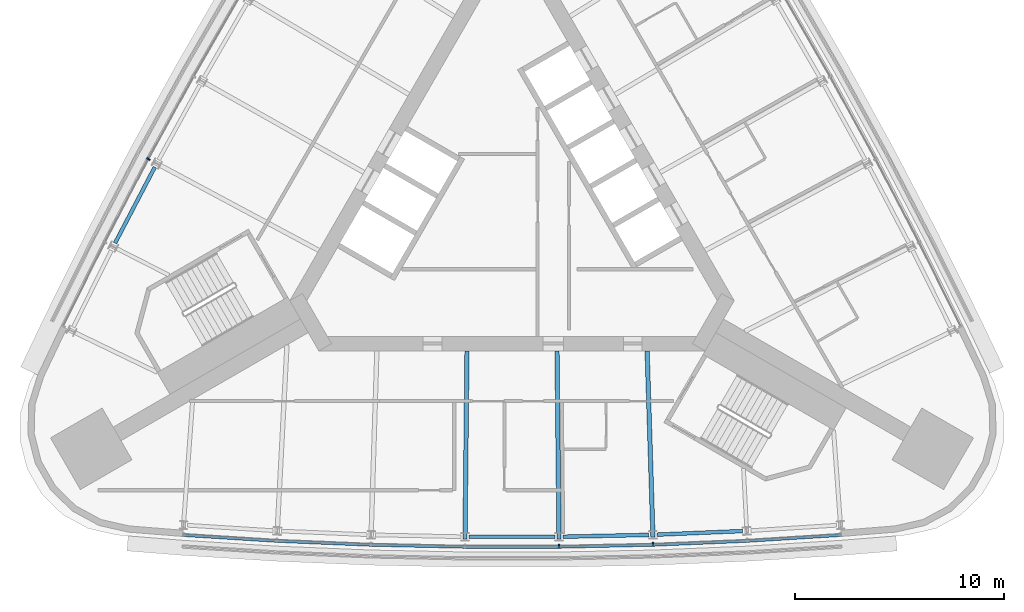
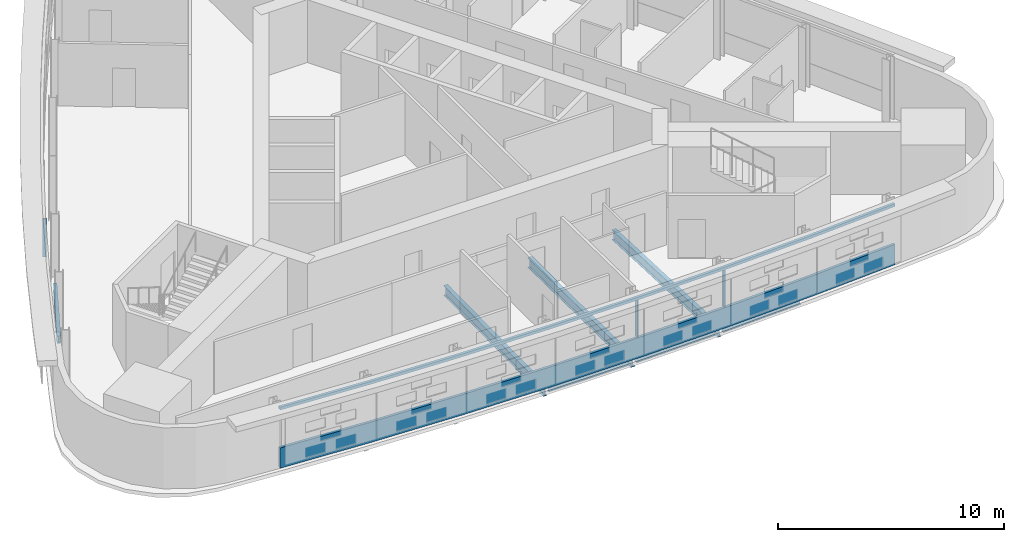
# One storey, part 3 of 12: 7 beams, 5 members, 2 elements without a shape of their own.
"""IFC4 building model written with IfcOpenShell, lengths in metres."""

from ifc_helpers import new_model, si_unit, direction, frame, origin, origin_2d, place, context, subcontext, project, spatial, polyline, rectangle, i_section, outline, extrude, material, material_profile, profile_set, type_object, element, aggregate, save


model = new_model("IFC4")

# Units and contexts
model_context = context("Model", 3, precision=1e-05, world=origin(), true_north=direction((0.0, 1.0)))
body_context = subcontext(model_context, "Body", "Model", "MODEL_VIEW")
ifc_project = project(units=[si_unit("LENGTHUNIT", "METRE"), si_unit("AREAUNIT", "SQUARE_METRE"), si_unit("VOLUMEUNIT", "CUBIC_METRE"), si_unit("PLANEANGLEUNIT", "RADIAN"), si_unit("MASSUNIT", "GRAM", prefix="KILO")], contexts=[model_context])

# Site, building, storey
site_placement = place(None, origin())
site = spatial("IfcSite", under=ifc_project, at=site_placement, CompositionType="ELEMENT")
building_placement = place(site_placement, origin())
building = spatial("IfcBuilding", under=site, at=building_placement, Name="Noor Cloister Tower", CompositionType="ELEMENT")
storey_placement = place(building_placement, frame((0.0, 0.0, 158.10009765625)))
storey = spatial("IfcBuildingStorey", under=building, at=storey_placement, Name="L40", CompositionType="ELEMENT", Elevation=158.10009765625)

# Curtain wall, member
ifc_material_1 = material(Name="Aluminium 6063-T6 anodised", Category="aluminium")
curtain_wall_type = type_object("IfcCurtainWallType", Name="Ribbon curtain wall, upper tower CW5", PredefinedType="NOTDEFINED", material=ifc_material_1)
curtain_wall_1_placement = place(storey_placement, origin())
curtain_wall_1 = element("IfcCurtainWall", 1, at=curtain_wall_1_placement, inside=storey, type_object=curtain_wall_type, Name="CW5 L40 S run 2", PredefinedType="NOTDEFINED")
ifc_material_2 = material(Name="Aluminium 6063-T6 anodised", Category="aluminium")
member_type_1 = type_object("IfcMemberType", Name="Head transom CW5 150", PredefinedType="USERDEFINED", material=ifc_material_2)
member_1_placement = place(storey_placement, frame((0.0, 0.0, 3.14990234375)))
member_1 = element("IfcMember", 2, at=member_1_placement, type_object=member_type_1, Name="CW5 head transom", ObjectType="TRANSOM", PredefinedType="USERDEFINED", context=body_context, shape_type="SweptSolid", body=[
    extrude(outline(polyline([(-15.73583984375, -15.79345703125), (-11.244873046875, -16.075927734375), (-6.748779296875, -16.264404296875), (-2.25, -16.358642578125), (2.25, -16.358642578125), (6.748779296875, -16.264404296875), (11.244873046875, -16.075927734375), (15.73583984375, -15.79345703125), (15.72705078125, -15.65380859375), (11.237548828125, -15.936279296875), (6.744384765625, -16.12451171875), (2.24853515625, -16.21875), (-2.24853515625, -16.21875), (-6.744384765625, -16.12451171875), (-11.237548828125, -15.936279296875), (-15.72705078125, -15.65380859375), (-15.73583984375, -15.79345703125)])), origin(), (0.0, 0.0, 1.0), 0.14990234375),
])

curtain_wall_2_placement = place(storey_placement, origin())
curtain_wall_2 = element("IfcCurtainWall", 3, at=curtain_wall_2_placement, inside=storey, type_object=curtain_wall_type, Name="CW5 L40 NW run 1", PredefinedType="NOTDEFINED")
ifc_material_3 = material(Name="Aluminium 6063-T6 anodised", Category="aluminium")
ifc_material_profile_1 = material_profile(ifc_material_3, rectangle(XDim=0.179931640625, YDim=0.070068359375, at=origin_2d()), Name="180 x 70 mullion")
ifc_profile_set_1 = profile_set([ifc_material_profile_1], Name="Aluminium 6063-T6 anodised")
member_type_2 = type_object("IfcMemberType", Name="Mullion CW5 70 x 180", PredefinedType="MULLION", material=ifc_profile_set_1)
member_2_placement = place(storey_placement, frame((-17.371826171875, 2.240234375, 1.099853515625), z_axis=(0.0, 0.0, 1.0), x_axis=(0.881305167553, -0.472547565483, 0.0)))
member_2 = element("IfcMember", 4, at=member_2_placement, type_object=member_type_2, Name="CW5 mullion 6", PredefinedType="MULLION", context=body_context, shape_type="SweptSolid", body=[
    extrude(rectangle(XDim=0.179931640625, YDim=0.070068359375, at=origin_2d()), origin(), (0.0, 0.0, 1.0), 2.050048828125),
])
aggregate(curtain_wall_2, [member_2])

# Member
member_3_placement = place(storey_placement, frame((2.2490234375, -16.2587890625, 1.099853515625), z_axis=(0.0, 0.0, 1.0), x_axis=(-0.010472988327, 0.999945156754, 0.0)))
member_3 = element("IfcMember", 5, at=member_3_placement, type_object=member_type_2, Name="CW5 mullion 5", PredefinedType="MULLION", context=body_context, shape_type="SweptSolid", body=[
    extrude(rectangle(XDim=0.179931640625, YDim=0.070068359375, at=origin_2d()), origin(), (0.0, 0.0, 1.0), 2.050048828125),
])

member_4_placement = place(storey_placement, frame((6.745849609375, -16.16455078125, 1.099853515625), z_axis=(0.0, 0.0, 1.0), x_axis=(-0.031414387571, 0.999506446329, 0.0)))
member_4 = element("IfcMember", 6, at=member_4_placement, type_object=member_type_2, Name="CW5 mullion 6", PredefinedType="MULLION", context=body_context, shape_type="SweptSolid", body=[
    extrude(rectangle(XDim=0.179931640625, YDim=0.070068359375, at=origin_2d()), origin(), (0.0, 0.0, 1.0), 2.050048828125),
])

# Beams
ifc_material_4 = material(Name="Steel ASTM A992 Gr 50", Category="steel")
ifc_material_profile_2 = material_profile(ifc_material_4, i_section(OverallWidth=0.208984375, OverallDepth=0.532958984375, WebThickness=0.01025390625, FlangeThickness=0.015625, FilletRadius=0.0126953125, at=origin_2d()), Name="W530x92")
ifc_profile_set_2 = profile_set([ifc_material_profile_2], Name="Steel ASTM A992 Gr 50")
beam_type_1 = type_object("IfcBeamType", Name="Radial beam W530x92", PredefinedType="BEAM", material=ifc_profile_set_2)
for number, where, z_axis, x_axis, name in (
    (7, (-2.245361328125, -15.915771484375, -0.466552734375), (0.010484849986, 0.99994503245, 0.0), (-0.99994503245, 0.010484849986, 0.0), "Radial beam S 04 L40"),
    (8, (2.245361328125, -15.915771484375, -0.466552734375), (-0.010484849986, 0.99994503245, 0.0), (-0.99994503245, -0.010484849986, 0.0), "Radial beam S 05 L40"),
):
    element("IfcBeam", number, at=place(storey_placement, frame(where, z_axis=z_axis, x_axis=x_axis)), inside=storey, type_object=beam_type_1, Name=name, PredefinedType="BEAM", context=body_context, shape_type="SweptSolid", body=[
        extrude(i_section(OverallWidth=0.208984375, OverallDepth=0.532958984375, WebThickness=0.01025390625, FlangeThickness=0.015625, FilletRadius=0.0126953125, at=origin_2d()), origin(), (0.0, 0.0, 1.0), 8.988037109375),
    ])
beam_placement = place(storey_placement, frame((6.73486328125, -15.82177734375, -0.466552734375), z_axis=(-0.031388939531, 0.999507245834, 0.0), x_axis=(-0.999507245834, -0.031388939531, 0.0)))
element("IfcBeam", 9, at=beam_placement, inside=storey, type_object=beam_type_1, Name="Radial beam S 06 L40", PredefinedType="BEAM", context=body_context, shape_type="SweptSolid", body=[
    extrude(i_section(OverallWidth=0.208984375, OverallDepth=0.532958984375, WebThickness=0.01025390625, FlangeThickness=0.015625, FilletRadius=0.0126953125, at=origin_2d()), origin(), (0.0, 0.0, 1.0), 8.89794921875),
])

# Member
ifc_material_5 = material(Name="Aluminium 6063-T6 anodised", Category="aluminium")
member_type_3 = type_object("IfcMemberType", Name="Sill transom CW5 1100", PredefinedType="USERDEFINED", material=ifc_material_5)
member_5_placement = place(storey_placement, origin())
member_5 = element("IfcMember", 10, at=member_5_placement, type_object=member_type_3, Name="CW5 sill transom", ObjectType="TRANSOM", PredefinedType="USERDEFINED", context=body_context, shape_type="SweptSolid", body=[
    extrude(outline(polyline([(-15.73583984375, -15.79345703125), (-11.244873046875, -16.075927734375), (-6.748779296875, -16.264404296875), (-2.25, -16.358642578125), (2.25, -16.358642578125), (6.748779296875, -16.264404296875), (11.244873046875, -16.075927734375), (15.73583984375, -15.79345703125), (15.72705078125, -15.65380859375), (11.237548828125, -15.936279296875), (6.744384765625, -16.12451171875), (2.24853515625, -16.21875), (-2.24853515625, -16.21875), (-6.744384765625, -16.12451171875), (-11.237548828125, -15.936279296875), (-15.72705078125, -15.65380859375), (-15.73583984375, -15.79345703125)])), origin(), (0.0, 0.0, 1.0), 1.099853515625),
])

aggregate(curtain_wall_1, [member_3, member_4, member_5, member_1])

# Beams
ifc_material_6 = material(Name="Steel ASTM A992 Gr 50", Category="steel")
ifc_material_profile_3 = material_profile(ifc_material_6, i_section(OverallWidth=0.177978515625, OverallDepth=0.406005859375, WebThickness=0.0078125, FlangeThickness=0.0126953125, FilletRadius=0.01025390625, at=origin_2d()), Name="W410x60")
ifc_profile_set_3 = profile_set([ifc_material_profile_3], Name="Steel ASTM A992 Gr 50")
beam_type_2 = type_object("IfcBeamType", Name="Spandrel beam W410x60", PredefinedType="SPANDREL", material=ifc_profile_set_3)
for number, where, z_axis, x_axis, name in (
    (11, (-17.067626953125, 1.850830078125, -0.403076171875), (-0.463284047748, -0.886209845975, 0.0), (0.886209845975, -0.463284047748, 0.0), "Spandrel beam NW 06 L40"),
    (12, (-2.044677734375, -15.808837890625, -0.403076171875), (1.0, 0.0, 0.0), (0.0, 1.0, 0.0), "Spandrel beam S 04 L40"),
):
    element("IfcBeam", number, at=place(storey_placement, frame(where, z_axis=z_axis, x_axis=x_axis)), inside=storey, type_object=beam_type_2, Name=name, PredefinedType="SPANDREL", context=body_context, shape_type="SweptSolid", body=[
        extrude(i_section(OverallWidth=0.177978515625, OverallDepth=0.406005859375, WebThickness=0.0078125, FlangeThickness=0.0126953125, FilletRadius=0.01025390625, at=origin_2d()), origin(), (0.0, 0.0, 1.0), 4.08935546875),
    ])
for number, where, z_axis, x_axis, name in (
    (13, (2.443603515625, -15.8046875, -0.403076171875), (0.999780432962, 0.020954375827, 0.0), (-0.020954375827, 0.999780432962, 0.0), "Spandrel beam S 05 L40"),
    (14, (6.930908203125, -15.706298828125, -0.403076171875), (0.99912394431, 0.041849061004, 0.0), (-0.041849061004, 0.99912394431, 0.0), "Spandrel beam S 06 L40"),
):
    element("IfcBeam", number, at=place(storey_placement, frame(where, z_axis=z_axis, x_axis=x_axis)), inside=storey, type_object=beam_type_2, Name=name, PredefinedType="SPANDREL", context=body_context, shape_type="SweptSolid", body=[
        extrude(i_section(OverallWidth=0.177978515625, OverallDepth=0.406005859375, WebThickness=0.0078125, FlangeThickness=0.0126953125, FilletRadius=0.01025390625, at=origin_2d()), origin(), (0.0, 0.0, 1.0), 4.089599609375),
    ])

save(model, "model.ifc")
